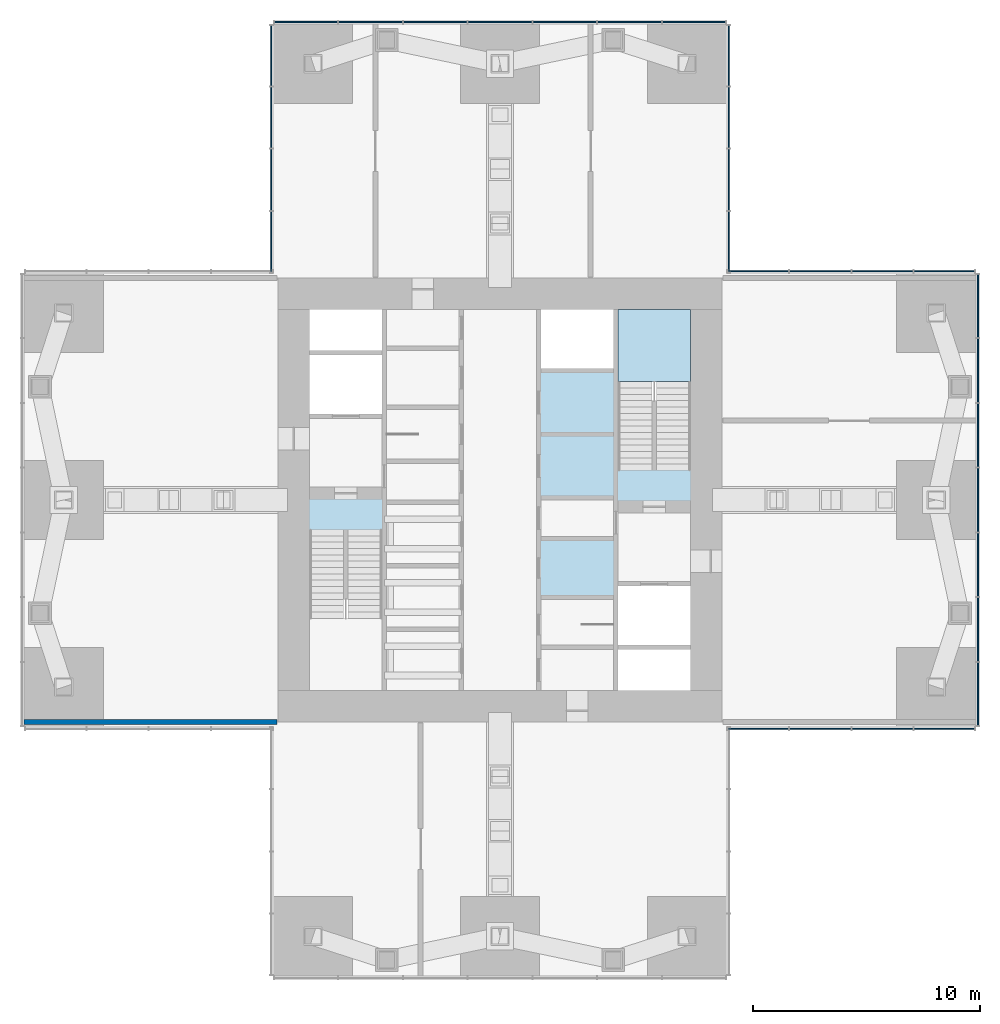
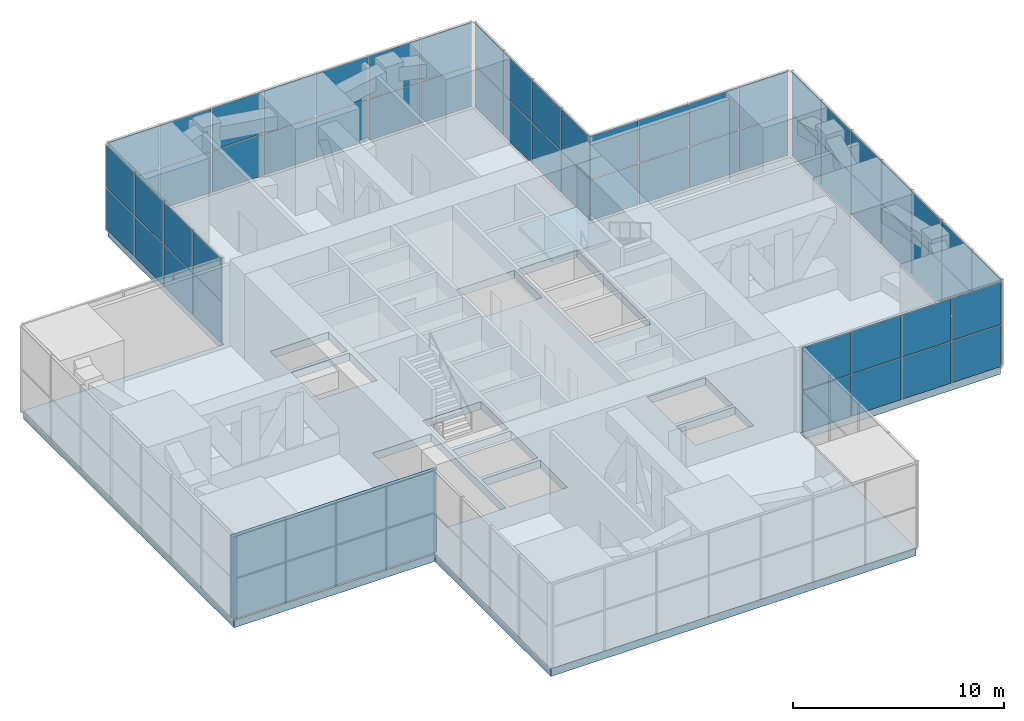
# One storey, part 9 of 12: 60 plates, 2 slabs, 1 wall, 7 elements without a shape of their own.
"""IFC4 building model written with IfcOpenShell, lengths in metres."""

from ifc_helpers import new_model, si_unit, direction, frame, frame_2d, origin, origin_2d, place, context, subcontext, project, spatial, polyline, rectangle, outline, extrude, material, layer, layer_set, type_object, element, aggregate, save


model = new_model("IFC4")

# Units and contexts
model_context = context("Model", 3, precision=1e-05, world=origin(), true_north=direction((0.0, 1.0)))
body_context = subcontext(model_context, "Body", "Model", "MODEL_VIEW")
ifc_project = project(units=[si_unit("LENGTHUNIT", "METRE"), si_unit("AREAUNIT", "SQUARE_METRE"), si_unit("VOLUMEUNIT", "CUBIC_METRE"), si_unit("PLANEANGLEUNIT", "RADIAN"), si_unit("MASSUNIT", "GRAM", prefix="KILO")], contexts=[model_context])

# Site, building, storey
site_placement = place(None, origin())
site = spatial("IfcSite", under=ifc_project, at=site_placement, CompositionType="ELEMENT")
building_placement = place(site_placement, origin())
building = spatial("IfcBuilding", under=site, at=building_placement, Name="Svetlomir Tower", CompositionType="ELEMENT")
storey_placement = place(building_placement, frame((0.0, 0.0, 234.5)))
storey = spatial("IfcBuildingStorey", under=building, at=storey_placement, Name="L56", CompositionType="ELEMENT", Elevation=234.5)

# Curtain wall, plates
ifc_material_1 = material(Name="Bronze anodised aluminium curtain wall", Category="aluminium")
curtain_wall_type = type_object("IfcCurtainWallType", Name="CURTAIN WALL CW3 PLANT LOUVRE", PredefinedType="NOTDEFINED", material=ifc_material_1)
curtain_wall_1_placement = place(storey_placement, origin())
curtain_wall_1 = element("IfcCurtainWall", 1, at=curtain_wall_1_placement, inside=storey, type_object=curtain_wall_type, Name="Curtain wall CW3 L56", PredefinedType="NOTDEFINED")
ifc_material_2 = material(Name="Bronze anodised aluminium louvre", Category="aluminium")
ifc_layer_1 = layer(ifc_material_2, 0.050048828125)
ifc_layer_set_1 = layer_set([ifc_layer_1], Name="Bronze anodised aluminium louvre")
plate_type = type_object("IfcPlateType", Name="CW3 LOUVRE PANEL 50", PredefinedType="CURTAIN_PANEL", material=ifc_layer_set_1)
plate_1_placement = place(storey_placement, frame((32.391357421875, 10.909912109375, 0.06494140625), z_axis=(0.0, 0.0, 1.0), x_axis=(1.0, 0.0, 0.0)))
plate_1 = element("IfcPlate", 2, at=plate_1_placement, type_object=plate_type, Name="CW3 panel 1.1", PredefinedType="CURTAIN_PANEL", context=body_context, shape_type="SweptSolid", body=[
    extrude(rectangle(XDim=2.652587890625, YDim=0.050048828125, at=origin_2d()), origin(), (0.0, 0.0, 1.0), 2.38623046875),
])
plate_2_placement = place(storey_placement, frame((32.391357421875, 10.909912109375, 2.51611328125), z_axis=(0.0, 0.0, 1.0), x_axis=(1.0, 0.0, 0.0)))
plate_2 = element("IfcPlate", 3, at=plate_2_placement, type_object=plate_type, Name="CW3 panel 1.2", PredefinedType="CURTAIN_PANEL", context=body_context, shape_type="SweptSolid", body=[
    extrude(rectangle(XDim=2.652587890625, YDim=0.050048828125, at=origin_2d()), origin(), (0.0, 0.0, 1.0), 2.418701171875),
])
plate_3_placement = place(storey_placement, frame((35.125, 10.909912109375, 0.06494140625), z_axis=(0.0, 0.0, 1.0), x_axis=(1.0, 0.0, 0.0)))
plate_3 = element("IfcPlate", 4, at=plate_3_placement, type_object=plate_type, Name="CW3 panel 2.1", PredefinedType="CURTAIN_PANEL", context=body_context, shape_type="SweptSolid", body=[
    extrude(rectangle(XDim=2.68505859375, YDim=0.050048828125, at=origin_2d()), origin(), (0.0, 0.0, 1.0), 2.38623046875),
])
plate_4_placement = place(storey_placement, frame((35.125, 10.909912109375, 2.51611328125), z_axis=(0.0, 0.0, 1.0), x_axis=(1.0, 0.0, 0.0)))
plate_4 = element("IfcPlate", 5, at=plate_4_placement, type_object=plate_type, Name="CW3 panel 2.2", PredefinedType="CURTAIN_PANEL", context=body_context, shape_type="SweptSolid", body=[
    extrude(rectangle(XDim=2.68505859375, YDim=0.050048828125, at=origin_2d()), origin(), (0.0, 0.0, 1.0), 2.418701171875),
])
plate_5_placement = place(storey_placement, frame((37.875, 10.909912109375, 0.06494140625), z_axis=(0.0, 0.0, 1.0), x_axis=(1.0, 0.0, 0.0)))
plate_5 = element("IfcPlate", 6, at=plate_5_placement, type_object=plate_type, Name="CW3 panel 3.1", PredefinedType="CURTAIN_PANEL", context=body_context, shape_type="SweptSolid", body=[
    extrude(rectangle(XDim=2.68505859375, YDim=0.050048828125, at=origin_2d()), origin(), (0.0, 0.0, 1.0), 2.38623046875),
])
plate_6_placement = place(storey_placement, frame((37.875, 10.909912109375, 2.51611328125), z_axis=(0.0, 0.0, 1.0), x_axis=(1.0, 0.0, 0.0)))
plate_6 = element("IfcPlate", 7, at=plate_6_placement, type_object=plate_type, Name="CW3 panel 3.2", PredefinedType="CURTAIN_PANEL", context=body_context, shape_type="SweptSolid", body=[
    extrude(rectangle(XDim=2.68505859375, YDim=0.050048828125, at=origin_2d()), origin(), (0.0, 0.0, 1.0), 2.418701171875),
])
plate_7_placement = place(storey_placement, frame((40.608642578125, 10.909912109375, 0.06494140625), z_axis=(0.0, 0.0, 1.0), x_axis=(1.0, 0.0, 0.0)))
plate_7 = element("IfcPlate", 8, at=plate_7_placement, type_object=plate_type, Name="CW3 panel 4.1", PredefinedType="CURTAIN_PANEL", context=body_context, shape_type="SweptSolid", body=[
    extrude(rectangle(XDim=2.652587890625, YDim=0.050048828125, at=origin_2d()), origin(), (0.0, 0.0, 1.0), 2.38623046875),
])
plate_8_placement = place(storey_placement, frame((40.608642578125, 10.909912109375, 2.51611328125), z_axis=(0.0, 0.0, 1.0), x_axis=(1.0, 0.0, 0.0)))
plate_8 = element("IfcPlate", 9, at=plate_8_placement, type_object=plate_type, Name="CW3 panel 4.2", PredefinedType="CURTAIN_PANEL", context=body_context, shape_type="SweptSolid", body=[
    extrude(rectangle(XDim=2.652587890625, YDim=0.050048828125, at=origin_2d()), origin(), (0.0, 0.0, 1.0), 2.418701171875),
])
aggregate(curtain_wall_1, [plate_1, plate_2, plate_3, plate_4, plate_5, plate_6, plate_7, plate_8])

curtain_wall_2_placement = place(storey_placement, origin())
curtain_wall_2 = element("IfcCurtainWall", 10, at=curtain_wall_2_placement, inside=storey, type_object=curtain_wall_type, Name="Curtain wall CW3 L56", PredefinedType="NOTDEFINED")
plate_9_placement = place(storey_placement, frame((42.090087890625, 12.44482421875, 0.06494140625), z_axis=(0.0, 0.0, 1.0), x_axis=(0.0, 1.0, 0.0)))
plate_9 = element("IfcPlate", 11, at=plate_9_placement, type_object=plate_type, Name="CW3 panel 1.1", PredefinedType="CURTAIN_PANEL", context=body_context, shape_type="SweptSolid", body=[
    extrude(rectangle(XDim=2.759521484375, YDim=0.050048828125, at=origin_2d()), origin(), (0.0, 0.0, 1.0), 2.38623046875),
])
plate_10_placement = place(storey_placement, frame((42.090087890625, 12.44482421875, 2.51611328125), z_axis=(0.0, 0.0, 1.0), x_axis=(0.0, 1.0, 0.0)))
plate_10 = element("IfcPlate", 12, at=plate_10_placement, type_object=plate_type, Name="CW3 panel 1.2", PredefinedType="CURTAIN_PANEL", context=body_context, shape_type="SweptSolid", body=[
    extrude(rectangle(XDim=2.759521484375, YDim=0.050048828125, at=origin_2d()), origin(), (0.0, 0.0, 1.0), 2.418701171875),
])
plate_11_placement = place(storey_placement, frame((42.090087890625, 15.28564453125, 0.06494140625), z_axis=(0.0, 0.0, 1.0), x_axis=(0.0, 1.0, 0.0)))
plate_11 = element("IfcPlate", 13, at=plate_11_placement, type_object=plate_type, Name="CW3 panel 2.1", PredefinedType="CURTAIN_PANEL", context=body_context, shape_type="SweptSolid", body=[
    extrude(rectangle(XDim=2.792236328125, YDim=0.050048828125, at=origin_2d()), origin(), (0.0, 0.0, 1.0), 2.38623046875),
])
plate_12_placement = place(storey_placement, frame((42.090087890625, 15.28564453125, 2.51611328125), z_axis=(0.0, 0.0, 1.0), x_axis=(0.0, 1.0, 0.0)))
plate_12 = element("IfcPlate", 14, at=plate_12_placement, type_object=plate_type, Name="CW3 panel 2.2", PredefinedType="CURTAIN_PANEL", context=body_context, shape_type="SweptSolid", body=[
    extrude(rectangle(XDim=2.792236328125, YDim=0.050048828125, at=origin_2d()), origin(), (0.0, 0.0, 1.0), 2.418701171875),
])
plate_13_placement = place(storey_placement, frame((42.090087890625, 18.142822265625, 0.06494140625), z_axis=(0.0, 0.0, 1.0), x_axis=(0.0, 1.0, 0.0)))
plate_13 = element("IfcPlate", 15, at=plate_13_placement, type_object=plate_type, Name="CW3 panel 3.1", PredefinedType="CURTAIN_PANEL", context=body_context, shape_type="SweptSolid", body=[
    extrude(rectangle(XDim=2.792236328125, YDim=0.050048828125, at=origin_2d()), origin(), (0.0, 0.0, 1.0), 2.38623046875),
])
plate_14_placement = place(storey_placement, frame((42.090087890625, 18.142822265625, 2.51611328125), z_axis=(0.0, 0.0, 1.0), x_axis=(0.0, 1.0, 0.0)))
plate_14 = element("IfcPlate", 16, at=plate_14_placement, type_object=plate_type, Name="CW3 panel 3.2", PredefinedType="CURTAIN_PANEL", context=body_context, shape_type="SweptSolid", body=[
    extrude(rectangle(XDim=2.792236328125, YDim=0.050048828125, at=origin_2d()), origin(), (0.0, 0.0, 1.0), 2.418701171875),
])
plate_15_placement = place(storey_placement, frame((42.090087890625, 21.0, 0.06494140625), z_axis=(0.0, 0.0, 1.0), x_axis=(0.0, 1.0, 0.0)))
plate_15 = element("IfcPlate", 17, at=plate_15_placement, type_object=plate_type, Name="CW3 panel 4.1", PredefinedType="CURTAIN_PANEL", context=body_context, shape_type="SweptSolid", body=[
    extrude(rectangle(XDim=2.792236328125, YDim=0.050048828125, at=origin_2d()), origin(), (0.0, 0.0, 1.0), 2.38623046875),
])
plate_16_placement = place(storey_placement, frame((42.090087890625, 21.0, 2.51611328125), z_axis=(0.0, 0.0, 1.0), x_axis=(0.0, 1.0, 0.0)))
plate_16 = element("IfcPlate", 18, at=plate_16_placement, type_object=plate_type, Name="CW3 panel 4.2", PredefinedType="CURTAIN_PANEL", context=body_context, shape_type="SweptSolid", body=[
    extrude(rectangle(XDim=2.792236328125, YDim=0.050048828125, at=origin_2d()), origin(), (0.0, 0.0, 1.0), 2.418701171875),
])
plate_17_placement = place(storey_placement, frame((42.090087890625, 23.857177734375, 0.06494140625), z_axis=(0.0, 0.0, 1.0), x_axis=(0.0, 1.0, 0.0)))
plate_17 = element("IfcPlate", 19, at=plate_17_placement, type_object=plate_type, Name="CW3 panel 5.1", PredefinedType="CURTAIN_PANEL", context=body_context, shape_type="SweptSolid", body=[
    extrude(rectangle(XDim=2.792236328125, YDim=0.050048828125, at=origin_2d()), origin(), (0.0, 0.0, 1.0), 2.38623046875),
])
plate_18_placement = place(storey_placement, frame((42.090087890625, 23.857177734375, 2.51611328125), z_axis=(0.0, 0.0, 1.0), x_axis=(0.0, 1.0, 0.0)))
plate_18 = element("IfcPlate", 20, at=plate_18_placement, type_object=plate_type, Name="CW3 panel 5.2", PredefinedType="CURTAIN_PANEL", context=body_context, shape_type="SweptSolid", body=[
    extrude(rectangle(XDim=2.792236328125, YDim=0.050048828125, at=origin_2d()), origin(), (0.0, 0.0, 1.0), 2.418701171875),
])
plate_19_placement = place(storey_placement, frame((42.090087890625, 26.71435546875, 0.06494140625), z_axis=(0.0, 0.0, 1.0), x_axis=(0.0, 1.0, 0.0)))
plate_19 = element("IfcPlate", 21, at=plate_19_placement, type_object=plate_type, Name="CW3 panel 6.1", PredefinedType="CURTAIN_PANEL", context=body_context, shape_type="SweptSolid", body=[
    extrude(rectangle(XDim=2.792236328125, YDim=0.050048828125, at=origin_2d()), origin(), (0.0, 0.0, 1.0), 2.38623046875),
])
plate_20_placement = place(storey_placement, frame((42.090087890625, 26.71435546875, 2.51611328125), z_axis=(0.0, 0.0, 1.0), x_axis=(0.0, 1.0, 0.0)))
plate_20 = element("IfcPlate", 22, at=plate_20_placement, type_object=plate_type, Name="CW3 panel 6.2", PredefinedType="CURTAIN_PANEL", context=body_context, shape_type="SweptSolid", body=[
    extrude(rectangle(XDim=2.792236328125, YDim=0.050048828125, at=origin_2d()), origin(), (0.0, 0.0, 1.0), 2.418701171875),
])
plate_21_placement = place(storey_placement, frame((42.090087890625, 29.55517578125, 0.06494140625), z_axis=(0.0, 0.0, 1.0), x_axis=(0.0, 1.0, 0.0)))
plate_21 = element("IfcPlate", 23, at=plate_21_placement, type_object=plate_type, Name="CW3 panel 7.1", PredefinedType="CURTAIN_PANEL", context=body_context, shape_type="SweptSolid", body=[
    extrude(rectangle(XDim=2.759521484375, YDim=0.050048828125, at=origin_2d()), origin(), (0.0, 0.0, 1.0), 2.38623046875),
])
plate_22_placement = place(storey_placement, frame((42.090087890625, 29.55517578125, 2.51611328125), z_axis=(0.0, 0.0, 1.0), x_axis=(0.0, 1.0, 0.0)))
plate_22 = element("IfcPlate", 24, at=plate_22_placement, type_object=plate_type, Name="CW3 panel 7.2", PredefinedType="CURTAIN_PANEL", context=body_context, shape_type="SweptSolid", body=[
    extrude(rectangle(XDim=2.759521484375, YDim=0.050048828125, at=origin_2d()), origin(), (0.0, 0.0, 1.0), 2.418701171875),
])
aggregate(curtain_wall_2, [plate_9, plate_10, plate_11, plate_12, plate_13, plate_14, plate_15, plate_16, plate_17, plate_18, plate_19, plate_20, plate_21, plate_22])

curtain_wall_3_placement = place(storey_placement, origin())
curtain_wall_3 = element("IfcCurtainWall", 25, at=curtain_wall_3_placement, inside=storey, type_object=curtain_wall_type, Name="Curtain wall CW3 L56", PredefinedType="NOTDEFINED")
plate_23_placement = place(storey_placement, frame((40.608642578125, 31.090087890625, 0.06494140625), z_axis=(0.0, 0.0, 1.0), x_axis=(-1.0, 0.0, 0.0)))
plate_23 = element("IfcPlate", 26, at=plate_23_placement, type_object=plate_type, Name="CW3 panel 1.1", PredefinedType="CURTAIN_PANEL", context=body_context, shape_type="SweptSolid", body=[
    extrude(rectangle(XDim=2.652587890625, YDim=0.050048828125, at=origin_2d()), origin(), (0.0, 0.0, 1.0), 2.38623046875),
])
plate_24_placement = place(storey_placement, frame((40.608642578125, 31.090087890625, 2.51611328125), z_axis=(0.0, 0.0, 1.0), x_axis=(-1.0, 0.0, 0.0)))
plate_24 = element("IfcPlate", 27, at=plate_24_placement, type_object=plate_type, Name="CW3 panel 1.2", PredefinedType="CURTAIN_PANEL", context=body_context, shape_type="SweptSolid", body=[
    extrude(rectangle(XDim=2.652587890625, YDim=0.050048828125, at=origin_2d()), origin(), (0.0, 0.0, 1.0), 2.418701171875),
])
plate_25_placement = place(storey_placement, frame((37.875, 31.090087890625, 0.06494140625), z_axis=(0.0, 0.0, 1.0), x_axis=(-1.0, 0.0, 0.0)))
plate_25 = element("IfcPlate", 28, at=plate_25_placement, type_object=plate_type, Name="CW3 panel 2.1", PredefinedType="CURTAIN_PANEL", context=body_context, shape_type="SweptSolid", body=[
    extrude(rectangle(XDim=2.68505859375, YDim=0.050048828125, at=origin_2d()), origin(), (0.0, 0.0, 1.0), 2.38623046875),
])
plate_26_placement = place(storey_placement, frame((37.875, 31.090087890625, 2.51611328125), z_axis=(0.0, 0.0, 1.0), x_axis=(-1.0, 0.0, 0.0)))
plate_26 = element("IfcPlate", 29, at=plate_26_placement, type_object=plate_type, Name="CW3 panel 2.2", PredefinedType="CURTAIN_PANEL", context=body_context, shape_type="SweptSolid", body=[
    extrude(rectangle(XDim=2.68505859375, YDim=0.050048828125, at=origin_2d()), origin(), (0.0, 0.0, 1.0), 2.418701171875),
])
plate_27_placement = place(storey_placement, frame((35.125, 31.090087890625, 0.06494140625), z_axis=(0.0, 0.0, 1.0), x_axis=(-1.0, 0.0, 0.0)))
plate_27 = element("IfcPlate", 30, at=plate_27_placement, type_object=plate_type, Name="CW3 panel 3.1", PredefinedType="CURTAIN_PANEL", context=body_context, shape_type="SweptSolid", body=[
    extrude(rectangle(XDim=2.68505859375, YDim=0.050048828125, at=origin_2d()), origin(), (0.0, 0.0, 1.0), 2.38623046875),
])
plate_28_placement = place(storey_placement, frame((35.125, 31.090087890625, 2.51611328125), z_axis=(0.0, 0.0, 1.0), x_axis=(-1.0, 0.0, 0.0)))
plate_28 = element("IfcPlate", 31, at=plate_28_placement, type_object=plate_type, Name="CW3 panel 3.2", PredefinedType="CURTAIN_PANEL", context=body_context, shape_type="SweptSolid", body=[
    extrude(rectangle(XDim=2.68505859375, YDim=0.050048828125, at=origin_2d()), origin(), (0.0, 0.0, 1.0), 2.418701171875),
])
plate_29_placement = place(storey_placement, frame((32.391357421875, 31.090087890625, 0.06494140625), z_axis=(0.0, 0.0, 1.0), x_axis=(-1.0, 0.0, 0.0)))
plate_29 = element("IfcPlate", 32, at=plate_29_placement, type_object=plate_type, Name="CW3 panel 4.1", PredefinedType="CURTAIN_PANEL", context=body_context, shape_type="SweptSolid", body=[
    extrude(rectangle(XDim=2.652587890625, YDim=0.050048828125, at=origin_2d()), origin(), (0.0, 0.0, 1.0), 2.38623046875),
])
plate_30_placement = place(storey_placement, frame((32.391357421875, 31.090087890625, 2.51611328125), z_axis=(0.0, 0.0, 1.0), x_axis=(-1.0, 0.0, 0.0)))
plate_30 = element("IfcPlate", 33, at=plate_30_placement, type_object=plate_type, Name="CW3 panel 4.2", PredefinedType="CURTAIN_PANEL", context=body_context, shape_type="SweptSolid", body=[
    extrude(rectangle(XDim=2.652587890625, YDim=0.050048828125, at=origin_2d()), origin(), (0.0, 0.0, 1.0), 2.418701171875),
])
aggregate(curtain_wall_3, [plate_23, plate_24, plate_25, plate_26, plate_27, plate_28, plate_29, plate_30])

curtain_wall_4_placement = place(storey_placement, origin())
curtain_wall_4 = element("IfcCurtainWall", 34, at=curtain_wall_4_placement, inside=storey, type_object=curtain_wall_type, Name="Curtain wall CW3 L56", PredefinedType="NOTDEFINED")
plate_31_placement = place(storey_placement, frame((31.090087890625, 32.391357421875, 0.06494140625), z_axis=(0.0, 0.0, 1.0), x_axis=(0.0, 1.0, 0.0)))
plate_31 = element("IfcPlate", 35, at=plate_31_placement, type_object=plate_type, Name="CW3 panel 1.1", PredefinedType="CURTAIN_PANEL", context=body_context, shape_type="SweptSolid", body=[
    extrude(rectangle(XDim=2.652587890625, YDim=0.050048828125, at=origin_2d()), origin(), (0.0, 0.0, 1.0), 2.38623046875),
])
plate_32_placement = place(storey_placement, frame((31.090087890625, 32.391357421875, 2.51611328125), z_axis=(0.0, 0.0, 1.0), x_axis=(0.0, 1.0, 0.0)))
plate_32 = element("IfcPlate", 36, at=plate_32_placement, type_object=plate_type, Name="CW3 panel 1.2", PredefinedType="CURTAIN_PANEL", context=body_context, shape_type="SweptSolid", body=[
    extrude(rectangle(XDim=2.652587890625, YDim=0.050048828125, at=origin_2d()), origin(), (0.0, 0.0, 1.0), 2.418701171875),
])
plate_33_placement = place(storey_placement, frame((31.090087890625, 35.125, 0.06494140625), z_axis=(0.0, 0.0, 1.0), x_axis=(0.0, 1.0, 0.0)))
plate_33 = element("IfcPlate", 37, at=plate_33_placement, type_object=plate_type, Name="CW3 panel 2.1", PredefinedType="CURTAIN_PANEL", context=body_context, shape_type="SweptSolid", body=[
    extrude(rectangle(XDim=2.68505859375, YDim=0.050048828125, at=origin_2d()), origin(), (0.0, 0.0, 1.0), 2.38623046875),
])
plate_34_placement = place(storey_placement, frame((31.090087890625, 35.125, 2.51611328125), z_axis=(0.0, 0.0, 1.0), x_axis=(0.0, 1.0, 0.0)))
plate_34 = element("IfcPlate", 38, at=plate_34_placement, type_object=plate_type, Name="CW3 panel 2.2", PredefinedType="CURTAIN_PANEL", context=body_context, shape_type="SweptSolid", body=[
    extrude(rectangle(XDim=2.68505859375, YDim=0.050048828125, at=origin_2d()), origin(), (0.0, 0.0, 1.0), 2.418701171875),
])
plate_35_placement = place(storey_placement, frame((31.090087890625, 37.875, 0.06494140625), z_axis=(0.0, 0.0, 1.0), x_axis=(0.0, 1.0, 0.0)))
plate_35 = element("IfcPlate", 39, at=plate_35_placement, type_object=plate_type, Name="CW3 panel 3.1", PredefinedType="CURTAIN_PANEL", context=body_context, shape_type="SweptSolid", body=[
    extrude(rectangle(XDim=2.68505859375, YDim=0.050048828125, at=origin_2d()), origin(), (0.0, 0.0, 1.0), 2.38623046875),
])
plate_36_placement = place(storey_placement, frame((31.090087890625, 37.875, 2.51611328125), z_axis=(0.0, 0.0, 1.0), x_axis=(0.0, 1.0, 0.0)))
plate_36 = element("IfcPlate", 40, at=plate_36_placement, type_object=plate_type, Name="CW3 panel 3.2", PredefinedType="CURTAIN_PANEL", context=body_context, shape_type="SweptSolid", body=[
    extrude(rectangle(XDim=2.68505859375, YDim=0.050048828125, at=origin_2d()), origin(), (0.0, 0.0, 1.0), 2.418701171875),
])
plate_37_placement = place(storey_placement, frame((31.090087890625, 40.608642578125, 0.06494140625), z_axis=(0.0, 0.0, 1.0), x_axis=(0.0, 1.0, 0.0)))
plate_37 = element("IfcPlate", 41, at=plate_37_placement, type_object=plate_type, Name="CW3 panel 4.1", PredefinedType="CURTAIN_PANEL", context=body_context, shape_type="SweptSolid", body=[
    extrude(rectangle(XDim=2.652587890625, YDim=0.050048828125, at=origin_2d()), origin(), (0.0, 0.0, 1.0), 2.38623046875),
])
plate_38_placement = place(storey_placement, frame((31.090087890625, 40.608642578125, 2.51611328125), z_axis=(0.0, 0.0, 1.0), x_axis=(0.0, 1.0, 0.0)))
plate_38 = element("IfcPlate", 42, at=plate_38_placement, type_object=plate_type, Name="CW3 panel 4.2", PredefinedType="CURTAIN_PANEL", context=body_context, shape_type="SweptSolid", body=[
    extrude(rectangle(XDim=2.652587890625, YDim=0.050048828125, at=origin_2d()), origin(), (0.0, 0.0, 1.0), 2.418701171875),
])
aggregate(curtain_wall_4, [plate_31, plate_32, plate_33, plate_34, plate_35, plate_36, plate_37, plate_38])

curtain_wall_5_placement = place(storey_placement, origin())
curtain_wall_5 = element("IfcCurtainWall", 43, at=curtain_wall_5_placement, inside=storey, type_object=curtain_wall_type, Name="Curtain wall CW3 L56", PredefinedType="NOTDEFINED")
plate_39_placement = place(storey_placement, frame((29.55517578125, 42.090087890625, 0.06494140625), z_axis=(0.0, 0.0, 1.0), x_axis=(-1.0, 0.0, 0.0)))
plate_39 = element("IfcPlate", 44, at=plate_39_placement, type_object=plate_type, Name="CW3 panel 1.1", PredefinedType="CURTAIN_PANEL", context=body_context, shape_type="SweptSolid", body=[
    extrude(rectangle(XDim=2.759521484375, YDim=0.050048828125, at=origin_2d()), origin(), (0.0, 0.0, 1.0), 2.38623046875),
])
plate_40_placement = place(storey_placement, frame((29.55517578125, 42.090087890625, 2.51611328125), z_axis=(0.0, 0.0, 1.0), x_axis=(-1.0, 0.0, 0.0)))
plate_40 = element("IfcPlate", 45, at=plate_40_placement, type_object=plate_type, Name="CW3 panel 1.2", PredefinedType="CURTAIN_PANEL", context=body_context, shape_type="SweptSolid", body=[
    extrude(rectangle(XDim=2.759521484375, YDim=0.050048828125, at=origin_2d()), origin(), (0.0, 0.0, 1.0), 2.418701171875),
])
plate_41_placement = place(storey_placement, frame((26.71435546875, 42.090087890625, 0.06494140625), z_axis=(0.0, 0.0, 1.0), x_axis=(-1.0, 0.0, 0.0)))
plate_41 = element("IfcPlate", 46, at=plate_41_placement, type_object=plate_type, Name="CW3 panel 2.1", PredefinedType="CURTAIN_PANEL", context=body_context, shape_type="SweptSolid", body=[
    extrude(rectangle(XDim=2.792236328125, YDim=0.050048828125, at=origin_2d()), origin(), (0.0, 0.0, 1.0), 2.38623046875),
])
plate_42_placement = place(storey_placement, frame((26.71435546875, 42.090087890625, 2.51611328125), z_axis=(0.0, 0.0, 1.0), x_axis=(-1.0, 0.0, 0.0)))
plate_42 = element("IfcPlate", 47, at=plate_42_placement, type_object=plate_type, Name="CW3 panel 2.2", PredefinedType="CURTAIN_PANEL", context=body_context, shape_type="SweptSolid", body=[
    extrude(rectangle(XDim=2.792236328125, YDim=0.050048828125, at=origin_2d()), origin(), (0.0, 0.0, 1.0), 2.418701171875),
])
plate_43_placement = place(storey_placement, frame((23.857177734375, 42.090087890625, 0.06494140625), z_axis=(0.0, 0.0, 1.0), x_axis=(-1.0, 0.0, 0.0)))
plate_43 = element("IfcPlate", 48, at=plate_43_placement, type_object=plate_type, Name="CW3 panel 3.1", PredefinedType="CURTAIN_PANEL", context=body_context, shape_type="SweptSolid", body=[
    extrude(rectangle(XDim=2.792236328125, YDim=0.050048828125, at=origin_2d()), origin(), (0.0, 0.0, 1.0), 2.38623046875),
])
plate_44_placement = place(storey_placement, frame((23.857177734375, 42.090087890625, 2.51611328125), z_axis=(0.0, 0.0, 1.0), x_axis=(-1.0, 0.0, 0.0)))
plate_44 = element("IfcPlate", 49, at=plate_44_placement, type_object=plate_type, Name="CW3 panel 3.2", PredefinedType="CURTAIN_PANEL", context=body_context, shape_type="SweptSolid", body=[
    extrude(rectangle(XDim=2.792236328125, YDim=0.050048828125, at=origin_2d()), origin(), (0.0, 0.0, 1.0), 2.418701171875),
])
plate_45_placement = place(storey_placement, frame((21.0, 42.090087890625, 0.06494140625), z_axis=(0.0, 0.0, 1.0), x_axis=(-1.0, 0.0, 0.0)))
plate_45 = element("IfcPlate", 50, at=plate_45_placement, type_object=plate_type, Name="CW3 panel 4.1", PredefinedType="CURTAIN_PANEL", context=body_context, shape_type="SweptSolid", body=[
    extrude(rectangle(XDim=2.792236328125, YDim=0.050048828125, at=origin_2d()), origin(), (0.0, 0.0, 1.0), 2.38623046875),
])
plate_46_placement = place(storey_placement, frame((21.0, 42.090087890625, 2.51611328125), z_axis=(0.0, 0.0, 1.0), x_axis=(-1.0, 0.0, 0.0)))
plate_46 = element("IfcPlate", 51, at=plate_46_placement, type_object=plate_type, Name="CW3 panel 4.2", PredefinedType="CURTAIN_PANEL", context=body_context, shape_type="SweptSolid", body=[
    extrude(rectangle(XDim=2.792236328125, YDim=0.050048828125, at=origin_2d()), origin(), (0.0, 0.0, 1.0), 2.418701171875),
])
plate_47_placement = place(storey_placement, frame((18.142822265625, 42.090087890625, 0.06494140625), z_axis=(0.0, 0.0, 1.0), x_axis=(-1.0, 0.0, 0.0)))
plate_47 = element("IfcPlate", 52, at=plate_47_placement, type_object=plate_type, Name="CW3 panel 5.1", PredefinedType="CURTAIN_PANEL", context=body_context, shape_type="SweptSolid", body=[
    extrude(rectangle(XDim=2.792236328125, YDim=0.050048828125, at=origin_2d()), origin(), (0.0, 0.0, 1.0), 2.38623046875),
])
plate_48_placement = place(storey_placement, frame((18.142822265625, 42.090087890625, 2.51611328125), z_axis=(0.0, 0.0, 1.0), x_axis=(-1.0, 0.0, 0.0)))
plate_48 = element("IfcPlate", 53, at=plate_48_placement, type_object=plate_type, Name="CW3 panel 5.2", PredefinedType="CURTAIN_PANEL", context=body_context, shape_type="SweptSolid", body=[
    extrude(rectangle(XDim=2.792236328125, YDim=0.050048828125, at=origin_2d()), origin(), (0.0, 0.0, 1.0), 2.418701171875),
])
plate_49_placement = place(storey_placement, frame((15.28564453125, 42.090087890625, 0.06494140625), z_axis=(0.0, 0.0, 1.0), x_axis=(-1.0, 0.0, 0.0)))
plate_49 = element("IfcPlate", 54, at=plate_49_placement, type_object=plate_type, Name="CW3 panel 6.1", PredefinedType="CURTAIN_PANEL", context=body_context, shape_type="SweptSolid", body=[
    extrude(rectangle(XDim=2.792236328125, YDim=0.050048828125, at=origin_2d()), origin(), (0.0, 0.0, 1.0), 2.38623046875),
])
plate_50_placement = place(storey_placement, frame((15.28564453125, 42.090087890625, 2.51611328125), z_axis=(0.0, 0.0, 1.0), x_axis=(-1.0, 0.0, 0.0)))
plate_50 = element("IfcPlate", 55, at=plate_50_placement, type_object=plate_type, Name="CW3 panel 6.2", PredefinedType="CURTAIN_PANEL", context=body_context, shape_type="SweptSolid", body=[
    extrude(rectangle(XDim=2.792236328125, YDim=0.050048828125, at=origin_2d()), origin(), (0.0, 0.0, 1.0), 2.418701171875),
])
plate_51_placement = place(storey_placement, frame((12.44482421875, 42.090087890625, 0.06494140625), z_axis=(0.0, 0.0, 1.0), x_axis=(-1.0, 0.0, 0.0)))
plate_51 = element("IfcPlate", 56, at=plate_51_placement, type_object=plate_type, Name="CW3 panel 7.1", PredefinedType="CURTAIN_PANEL", context=body_context, shape_type="SweptSolid", body=[
    extrude(rectangle(XDim=2.759521484375, YDim=0.050048828125, at=origin_2d()), origin(), (0.0, 0.0, 1.0), 2.38623046875),
])
plate_52_placement = place(storey_placement, frame((12.44482421875, 42.090087890625, 2.51611328125), z_axis=(0.0, 0.0, 1.0), x_axis=(-1.0, 0.0, 0.0)))
plate_52 = element("IfcPlate", 57, at=plate_52_placement, type_object=plate_type, Name="CW3 panel 7.2", PredefinedType="CURTAIN_PANEL", context=body_context, shape_type="SweptSolid", body=[
    extrude(rectangle(XDim=2.759521484375, YDim=0.050048828125, at=origin_2d()), origin(), (0.0, 0.0, 1.0), 2.418701171875),
])
aggregate(curtain_wall_5, [plate_39, plate_40, plate_41, plate_42, plate_43, plate_44, plate_45, plate_46, plate_47, plate_48, plate_49, plate_50, plate_51, plate_52])

curtain_wall_6_placement = place(storey_placement, origin())
curtain_wall_6 = element("IfcCurtainWall", 58, at=curtain_wall_6_placement, inside=storey, type_object=curtain_wall_type, Name="Curtain wall CW3 L56", PredefinedType="NOTDEFINED")
plate_53_placement = place(storey_placement, frame((10.909912109375, 40.608642578125, 0.06494140625), z_axis=(0.0, 0.0, 1.0), x_axis=(0.0, -1.0, 0.0)))
plate_53 = element("IfcPlate", 59, at=plate_53_placement, type_object=plate_type, Name="CW3 panel 1.1", PredefinedType="CURTAIN_PANEL", context=body_context, shape_type="SweptSolid", body=[
    extrude(rectangle(XDim=2.652587890625, YDim=0.050048828125, at=origin_2d()), origin(), (0.0, 0.0, 1.0), 2.38623046875),
])
plate_54_placement = place(storey_placement, frame((10.909912109375, 40.608642578125, 2.51611328125), z_axis=(0.0, 0.0, 1.0), x_axis=(0.0, -1.0, 0.0)))
plate_54 = element("IfcPlate", 60, at=plate_54_placement, type_object=plate_type, Name="CW3 panel 1.2", PredefinedType="CURTAIN_PANEL", context=body_context, shape_type="SweptSolid", body=[
    extrude(rectangle(XDim=2.652587890625, YDim=0.050048828125, at=origin_2d()), origin(), (0.0, 0.0, 1.0), 2.418701171875),
])
plate_55_placement = place(storey_placement, frame((10.909912109375, 37.875, 0.06494140625), z_axis=(0.0, 0.0, 1.0), x_axis=(0.0, -1.0, 0.0)))
plate_55 = element("IfcPlate", 61, at=plate_55_placement, type_object=plate_type, Name="CW3 panel 2.1", PredefinedType="CURTAIN_PANEL", context=body_context, shape_type="SweptSolid", body=[
    extrude(rectangle(XDim=2.68505859375, YDim=0.050048828125, at=origin_2d()), origin(), (0.0, 0.0, 1.0), 2.38623046875),
])
plate_56_placement = place(storey_placement, frame((10.909912109375, 37.875, 2.51611328125), z_axis=(0.0, 0.0, 1.0), x_axis=(0.0, -1.0, 0.0)))
plate_56 = element("IfcPlate", 62, at=plate_56_placement, type_object=plate_type, Name="CW3 panel 2.2", PredefinedType="CURTAIN_PANEL", context=body_context, shape_type="SweptSolid", body=[
    extrude(rectangle(XDim=2.68505859375, YDim=0.050048828125, at=origin_2d()), origin(), (0.0, 0.0, 1.0), 2.418701171875),
])
plate_57_placement = place(storey_placement, frame((10.909912109375, 35.125, 0.06494140625), z_axis=(0.0, 0.0, 1.0), x_axis=(0.0, -1.0, 0.0)))
plate_57 = element("IfcPlate", 63, at=plate_57_placement, type_object=plate_type, Name="CW3 panel 3.1", PredefinedType="CURTAIN_PANEL", context=body_context, shape_type="SweptSolid", body=[
    extrude(rectangle(XDim=2.68505859375, YDim=0.050048828125, at=origin_2d()), origin(), (0.0, 0.0, 1.0), 2.38623046875),
])
plate_58_placement = place(storey_placement, frame((10.909912109375, 35.125, 2.51611328125), z_axis=(0.0, 0.0, 1.0), x_axis=(0.0, -1.0, 0.0)))
plate_58 = element("IfcPlate", 64, at=plate_58_placement, type_object=plate_type, Name="CW3 panel 3.2", PredefinedType="CURTAIN_PANEL", context=body_context, shape_type="SweptSolid", body=[
    extrude(rectangle(XDim=2.68505859375, YDim=0.050048828125, at=origin_2d()), origin(), (0.0, 0.0, 1.0), 2.418701171875),
])
plate_59_placement = place(storey_placement, frame((10.909912109375, 32.391357421875, 0.06494140625), z_axis=(0.0, 0.0, 1.0), x_axis=(0.0, -1.0, 0.0)))
plate_59 = element("IfcPlate", 65, at=plate_59_placement, type_object=plate_type, Name="CW3 panel 4.1", PredefinedType="CURTAIN_PANEL", context=body_context, shape_type="SweptSolid", body=[
    extrude(rectangle(XDim=2.652587890625, YDim=0.050048828125, at=origin_2d()), origin(), (0.0, 0.0, 1.0), 2.38623046875),
])
plate_60_placement = place(storey_placement, frame((10.909912109375, 32.391357421875, 2.51611328125), z_axis=(0.0, 0.0, 1.0), x_axis=(0.0, -1.0, 0.0)))
plate_60 = element("IfcPlate", 66, at=plate_60_placement, type_object=plate_type, Name="CW3 panel 4.2", PredefinedType="CURTAIN_PANEL", context=body_context, shape_type="SweptSolid", body=[
    extrude(rectangle(XDim=2.652587890625, YDim=0.050048828125, at=origin_2d()), origin(), (0.0, 0.0, 1.0), 2.418701171875),
])
aggregate(curtain_wall_6, [plate_53, plate_54, plate_55, plate_56, plate_57, plate_58, plate_59, plate_60])

# Slab
ifc_material_3 = material(Name="Concrete C60/75", Category="concrete")
ifc_layer_2 = layer(ifc_material_3, 0.449951171875)
ifc_layer_set_2 = layer_set([ifc_layer_2], Name="Concrete C60/75")
slab_type_1 = type_object("IfcSlabType", Name="FLOOR SLAB 450", PredefinedType="FLOOR", material=ifc_layer_set_2)
slab_1_placement = place(storey_placement, frame((0.0, 0.0, -0.449951171875)))
element("IfcSlab", 67, at=slab_1_placement, inside=storey, type_object=slab_type_1, Name="L56 floor slab", PredefinedType="FLOOR", context=body_context, shape_type="SweptSolid", body=[
    extrude(outline(polyline([(11.0, 0.0), (31.0, 0.0), (31.0, 11.0), (42.0, 11.0), (42.0, 31.0), (31.0, 31.0), (31.0, 42.0), (11.0, 42.0), (11.0, 31.0), (0.0, 31.0), (0.0, 11.0), (11.0, 11.0), (11.0, 0.0)]), holes=[polyline([(12.60009765625, 24.800048828125), (15.800048828125, 24.800048828125), (15.800048828125, 27.39990234375), (12.60009765625, 27.39990234375), (12.60009765625, 24.800048828125)]), polyline([(26.199951171875, 14.60009765625), (29.39990234375, 14.60009765625), (29.39990234375, 17.199951171875), (26.199951171875, 17.199951171875), (26.199951171875, 14.60009765625)]), polyline([(16.0, 12.60009765625), (19.199951171875, 12.60009765625), (19.199951171875, 15.199951171875), (16.0, 15.199951171875), (16.0, 12.60009765625)]), polyline([(16.0, 15.39990234375), (19.199951171875, 15.39990234375), (19.199951171875, 18.0), (16.0, 18.0), (16.0, 15.39990234375)]), polyline([(16.0, 18.199951171875), (19.199951171875, 18.199951171875), (19.199951171875, 20.800048828125), (16.0, 20.800048828125), (16.0, 18.199951171875)]), polyline([(22.800048828125, 26.800048828125), (26.0, 26.800048828125), (26.0, 29.39990234375), (22.800048828125, 29.39990234375), (22.800048828125, 26.800048828125)]), polyline([(12.60009765625, 27.60009765625), (15.800048828125, 27.60009765625), (15.800048828125, 29.39990234375), (12.60009765625, 29.39990234375), (12.60009765625, 27.60009765625)]), polyline([(26.199951171875, 12.60009765625), (29.39990234375, 12.60009765625), (29.39990234375, 14.39990234375), (26.199951171875, 14.39990234375), (26.199951171875, 12.60009765625)]), polyline([(12.60009765625, 12.60009765625), (15.800048828125, 12.60009765625), (15.800048828125, 19.679931640625), (12.60009765625, 19.679931640625), (12.60009765625, 12.60009765625)]), polyline([(26.199951171875, 22.320068359375), (29.39990234375, 22.320068359375), (29.39990234375, 29.39990234375), (26.199951171875, 29.39990234375), (26.199951171875, 22.320068359375)])]), origin(), (0.0, 0.0, 1.0), 0.449951171875),
])

# Stair, slab
ifc_material_4 = material(Name="Concrete C60/75", Category="concrete")
stair_type = type_object("IfcStairType", Name="EXIT STAIR 3200 RISE 5000", PredefinedType="HALF_TURN_STAIR", material=ifc_material_4)
stair_placement = place(storey_placement, origin())
stair = element("IfcStair", 68, at=stair_placement, inside=storey, type_object=stair_type, Name="Stair S2 L56 to L57", PredefinedType="HALF_TURN_STAIR")
ifc_material_5 = material(Name="Concrete C60/75", Category="concrete")
ifc_layer_3 = layer(ifc_material_5, 0.199951171875)
ifc_layer_set_3 = layer_set([ifc_layer_3], Name="Concrete C60/75")
slab_type_2 = type_object("IfcSlabType", Name="STAIR LANDING 200", PredefinedType="LANDING", material=ifc_layer_set_3)
slab_2_placement = place(storey_placement, frame((0.0, 0.0, 2.300048828125)))
slab_2 = element("IfcSlab", 69, at=slab_2_placement, type_object=slab_type_2, Name="S2 landing 1", PredefinedType="LANDING", context=body_context, shape_type="SweptSolid", body=[
    extrude(outline(polyline([(26.199951171875, 26.219970703125), (29.39990234375, 26.219970703125), (29.39990234375, 29.39990234375), (26.199951171875, 29.39990234375), (26.199951171875, 26.219970703125)])), origin(), (0.0, 0.0, 1.0), 0.199951171875),
])
aggregate(stair, [slab_2])

# Wall
ifc_material_6 = material(Name="Dense concrete blockwork", Category="masonry")
ifc_layer_4 = layer(ifc_material_6, 0.215087890625)
ifc_layer_set_4 = layer_set([ifc_layer_4], Name="Dense concrete blockwork")
wall_type = type_object("IfcWallType", Name="BLOCKWORK WALL 215", PredefinedType="PARTITIONING", material=ifc_layer_set_4)
wall_placement = place(storey_placement, frame((0.0, 11.199951171875, 0.0), z_axis=(0.0, 0.0, 1.0), x_axis=(1.0, 0.0, 0.0)))
element("IfcWall", 70, at=wall_placement, inside=storey, type_object=wall_type, Name="Refuge area wall L56", PredefinedType="PARTITIONING", context=body_context, shape_type="SweptSolid", body=[
    extrude(rectangle(XDim=11.14990234375, YDim=0.215087890625, at=frame_2d((5.574951171875, 0.0))), origin(), (0.0, 0.0, 1.0), 4.75),
])

save(model, "model.ifc")
